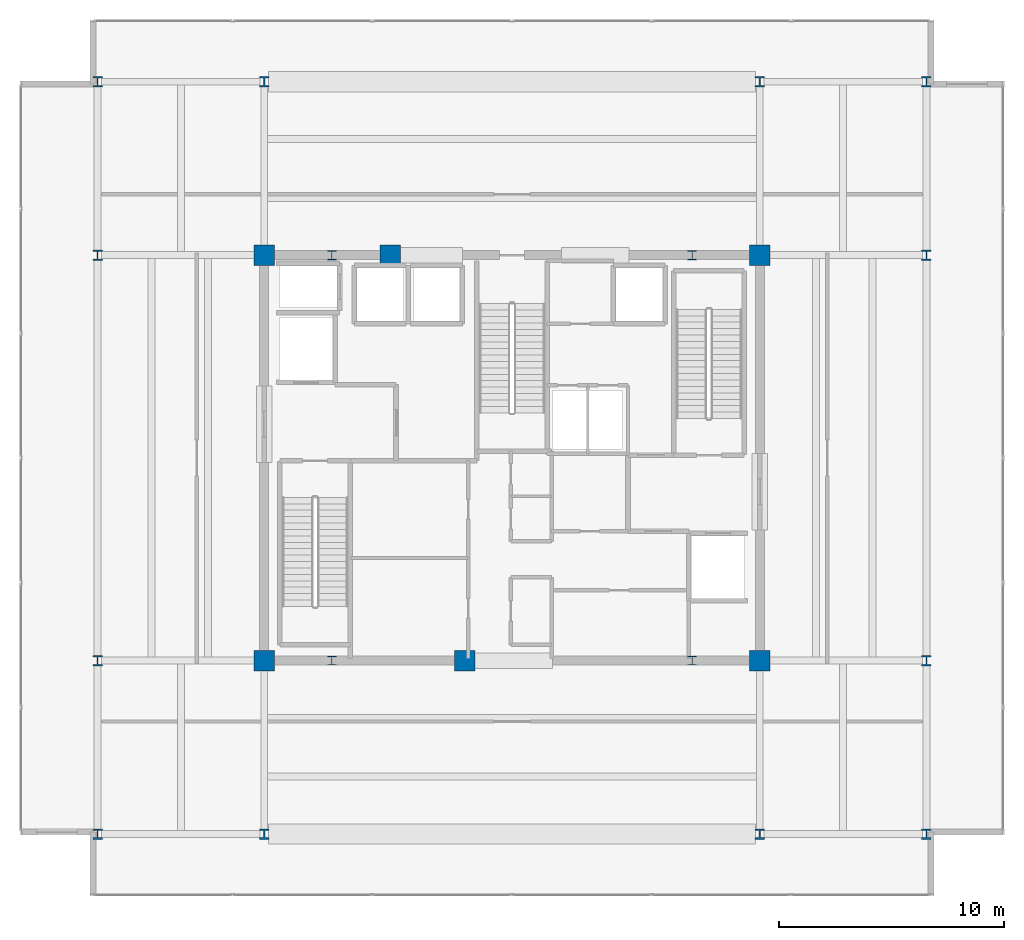
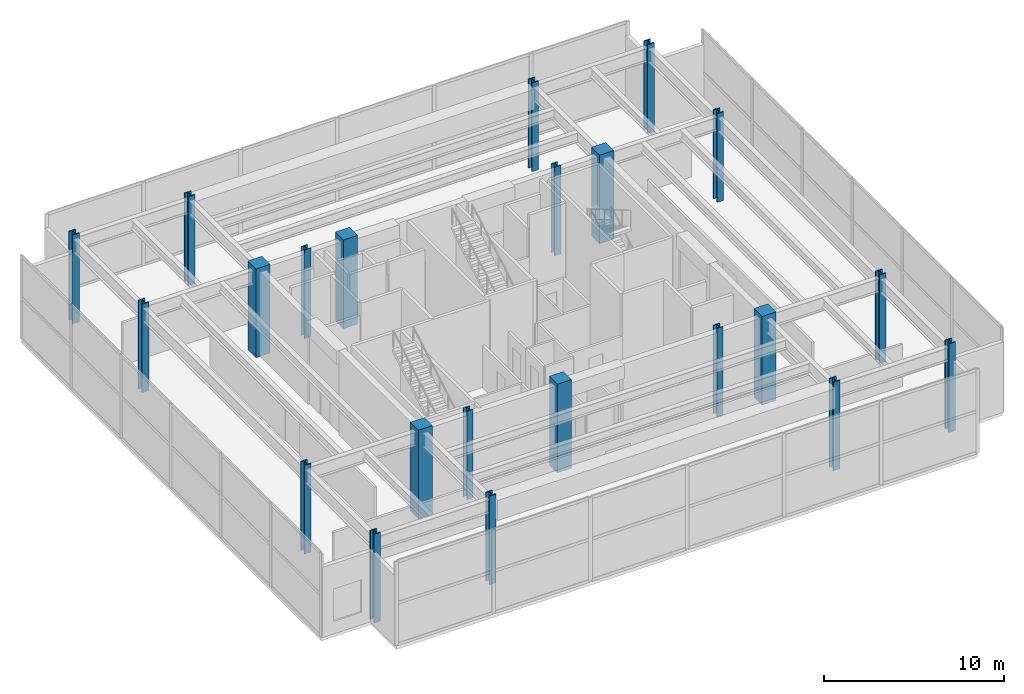
# One storey, part 1 of 21: 22 columns.
"""IFC4 building model written with IfcOpenShell, lengths in metres."""

from ifc_helpers import new_model, si_unit, direction, frame, origin, origin_2d, place, context, subcontext, project, spatial, rectangle, i_section, extrude, material, material_profile, profile_set, type_object, element, save


model = new_model("IFC4")

# Units and contexts
model_context = context("Model", 3, precision=1e-05, world=origin(), true_north=direction((0.0, 1.0)))
body_context = subcontext(model_context, "Body", "Model", "MODEL_VIEW")
ifc_project = project(units=[si_unit("LENGTHUNIT", "METRE"), si_unit("AREAUNIT", "SQUARE_METRE"), si_unit("VOLUMEUNIT", "CUBIC_METRE"), si_unit("PLANEANGLEUNIT", "RADIAN"), si_unit("MASSUNIT", "GRAM", prefix="KILO")], contexts=[model_context])

# Site, building, storey
site_placement = place(None, origin())
site = spatial("IfcSite", under=ifc_project, at=site_placement, CompositionType="ELEMENT")
building_placement = place(site_placement, origin())
building = spatial("IfcBuilding", under=site, at=building_placement, Name="Kovane Verandah Tower", CompositionType="ELEMENT")
storey_placement = place(building_placement, frame((0.0, 0.0, 342.800048828125)))
storey = spatial("IfcBuildingStorey", under=building, at=storey_placement, Name="L80", CompositionType="ELEMENT", Elevation=342.800048828125)

# Columns
ifc_material_1 = material(Name="Steel S460", Category="steel")
ifc_material_profile_1 = material_profile(ifc_material_1, i_section(OverallWidth=0.403076171875, OverallDepth=0.406494140625, WebThickness=0.026611328125, FlangeThickness=0.04296875, FilletRadius=0.01513671875, at=origin_2d()), Name="UC356x406x340")
ifc_profile_set_1 = profile_set([ifc_material_profile_1], Name="Steel S460")
column_type_1 = type_object("IfcColumnType", Name="COL-UC340", PredefinedType="COLUMN", material=ifc_profile_set_1)
for number, where, z_axis, x_axis, name in (
    (1, (32.0, 18.5, 0.0), (0.0, 0.0, 1.0), (1.0, 0.0, 0.0), "L80 Crown Frame Column CC-01"),
    (2, (48.0, 18.5, 0.0), (0.0, 0.0, 1.0), (1.0, 0.0, 0.0), "L80 Crown Frame Column CC-02"),
    (3, (32.0, 36.5, 0.0), (0.0, 0.0, 1.0), (1.0, 0.0, 0.0), "L80 Crown Frame Column CC-03"),
    (4, (48.0, 36.5, 0.0), (0.0, 0.0, 1.0), (1.0, 0.0, 0.0), "L80 Crown Frame Column CC-04"),
):
    element("IfcColumn", number, at=place(storey_placement, frame(where, z_axis=z_axis, x_axis=x_axis)), inside=storey, type_object=column_type_1, Name=name, PredefinedType="COLUMN", context=body_context, shape_type="SweptSolid", body=[
        extrude(i_section(OverallWidth=0.403076171875, OverallDepth=0.406494140625, WebThickness=0.026611328125, FlangeThickness=0.04296875, FilletRadius=0.01513671875, at=origin_2d()), origin(), (0.0, 0.0, 1.0), 6.0),
    ])
ifc_material_profile_2 = material_profile(ifc_material_1, i_section(OverallWidth=0.424072265625, OverallDepth=0.474609375, WebThickness=0.047607421875, FlangeThickness=0.076904296875, FilletRadius=0.01513671875, at=origin_2d()), Name="UC356x406x634")
ifc_profile_set_2 = profile_set([ifc_material_profile_2], Name="Steel S460")
column_type_2 = type_object("IfcColumnType", Name="COL-UC634", PredefinedType="COLUMN", material=ifc_profile_set_2)
for number, where, z_axis, x_axis, name in (
    (5, (29.0, 10.800048828125, 0.0), (0.0, 0.0, 1.0), (1.0, 0.0, 0.0), "L80 Tower Mega-Column MC-S1"),
    (6, (51.0, 10.800048828125, 0.0), (0.0, 0.0, 1.0), (1.0, 0.0, 0.0), "L80 Tower Mega-Column MC-S2"),
    (7, (29.0, 44.199951171875, 0.0), (0.0, 0.0, 1.0), (1.0, 0.0, 0.0), "L80 Tower Mega-Column MC-N1"),
    (8, (51.0, 44.199951171875, 0.0), (0.0, 0.0, 1.0), (1.0, 0.0, 0.0), "L80 Tower Mega-Column MC-N2"),
    (9, (21.60009765625, 18.5, 0.0), (0.0, 0.0, 1.0), (1.0, 0.0, 0.0), "L80 Tower Mega-Column MC-W1"),
    (10, (21.60009765625, 36.5, 0.0), (0.0, 0.0, 1.0), (1.0, 0.0, 0.0), "L80 Tower Mega-Column MC-W2"),
    (11, (58.39990234375, 18.5, 0.0), (0.0, 0.0, 1.0), (1.0, 0.0, 0.0), "L80 Tower Mega-Column MC-E1"),
    (12, (58.39990234375, 36.5, 0.0), (0.0, 0.0, 1.0), (1.0, 0.0, 0.0), "L80 Tower Mega-Column MC-E2"),
    (13, (21.60009765625, 10.800048828125, 0.0), (0.0, 0.0, 1.0), (1.0, 0.0, 0.0), "L80 Tower Mega-Column MC-SW"),
    (14, (58.39990234375, 10.800048828125, 0.0), (0.0, 0.0, 1.0), (1.0, 0.0, 0.0), "L80 Tower Mega-Column MC-SE"),
    (15, (21.60009765625, 44.199951171875, 0.0), (0.0, 0.0, 1.0), (1.0, 0.0, 0.0), "L80 Tower Mega-Column MC-NW"),
    (16, (58.39990234375, 44.199951171875, 0.0), (0.0, 0.0, 1.0), (1.0, 0.0, 0.0), "L80 Tower Mega-Column MC-NE"),
):
    element("IfcColumn", number, at=place(storey_placement, frame(where, z_axis=z_axis, x_axis=x_axis)), inside=storey, type_object=column_type_2, Name=name, PredefinedType="COLUMN", context=body_context, shape_type="SweptSolid", body=[
        extrude(i_section(OverallWidth=0.424072265625, OverallDepth=0.474609375, WebThickness=0.047607421875, FlangeThickness=0.076904296875, FilletRadius=0.01513671875, at=origin_2d()), origin(), (0.0, 0.0, 1.0), 6.0),
    ])
ifc_material_2 = material(Name="Concrete C60/75", Category="concrete")
ifc_material_profile_3 = material_profile(ifc_material_2, rectangle(XDim=0.89990234375, YDim=0.89990234375, at=origin_2d()), Name="RC900x900")
ifc_profile_set_3 = profile_set([ifc_material_profile_3], Name="Concrete C60/75")
column_type_3 = type_object("IfcColumnType", Name="PIL-RC900", PredefinedType="PILASTER", material=ifc_profile_set_3)
for number, where, z_axis, x_axis, name in (
    (17, (29.0, 18.5, 0.0), (0.0, 0.0, 1.0), (1.0, 0.0, 0.0), "L80 Core Pilaster CP-SW"),
    (18, (51.0, 18.5, 0.0), (0.0, 0.0, 1.0), (1.0, 0.0, 0.0), "L80 Core Pilaster CP-SE"),
    (19, (29.0, 36.5, 0.0), (0.0, 0.0, 1.0), (1.0, 0.0, 0.0), "L80 Core Pilaster CP-NW"),
    (20, (51.0, 36.5, 0.0), (0.0, 0.0, 1.0), (1.0, 0.0, 0.0), "L80 Core Pilaster CP-NE"),
    (21, (37.89990234375, 18.5, 0.0), (0.0, 0.0, 1.0), (1.0, 0.0, 0.0), "L80 Core Pilaster CP-S"),
    (22, (34.60009765625, 36.5, 0.0), (0.0, 0.0, 1.0), (1.0, 0.0, 0.0), "L80 Core Pilaster CP-N"),
):
    element("IfcColumn", number, at=place(storey_placement, frame(where, z_axis=z_axis, x_axis=x_axis)), inside=storey, type_object=column_type_3, Name=name, PredefinedType="PILASTER", context=body_context, shape_type="SweptSolid", body=[
        extrude(rectangle(XDim=0.89990234375, YDim=0.89990234375, at=origin_2d()), origin(), (0.0, 0.0, 1.0), 6.0),
    ])

save(model, "model.ifc")
